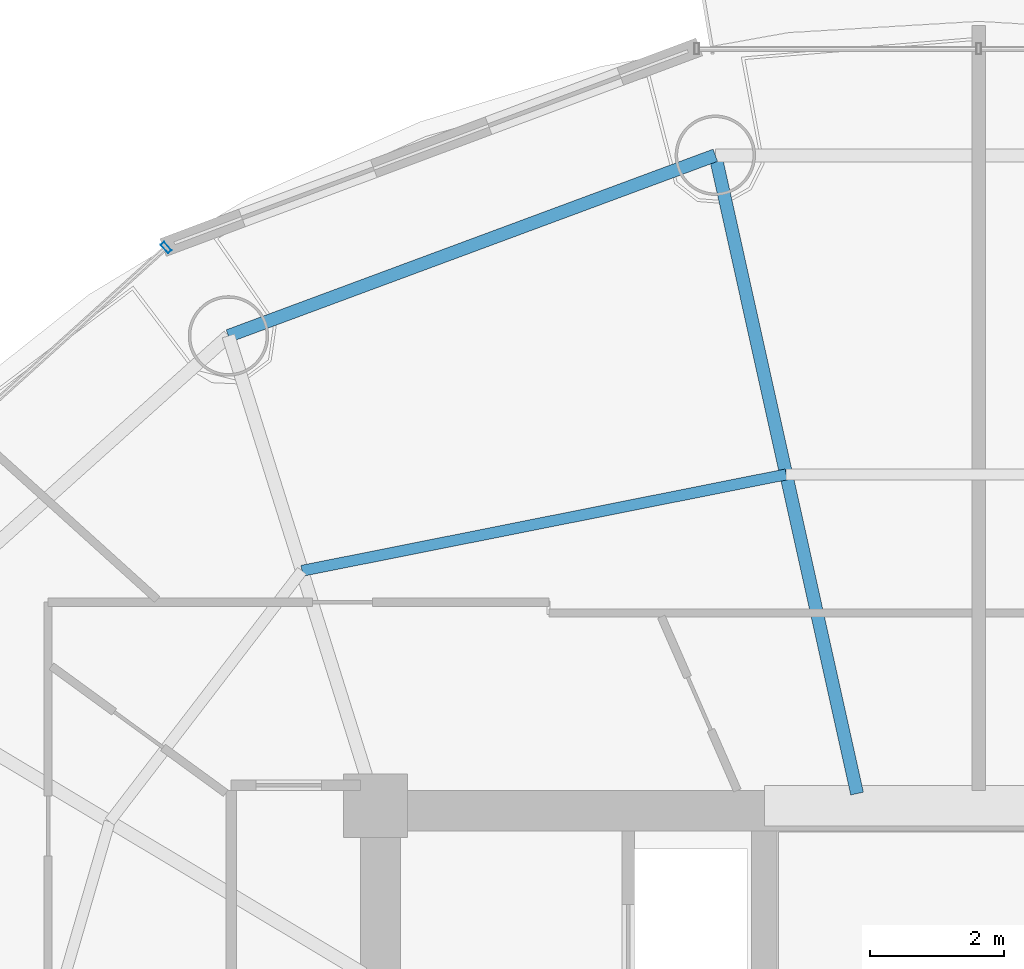
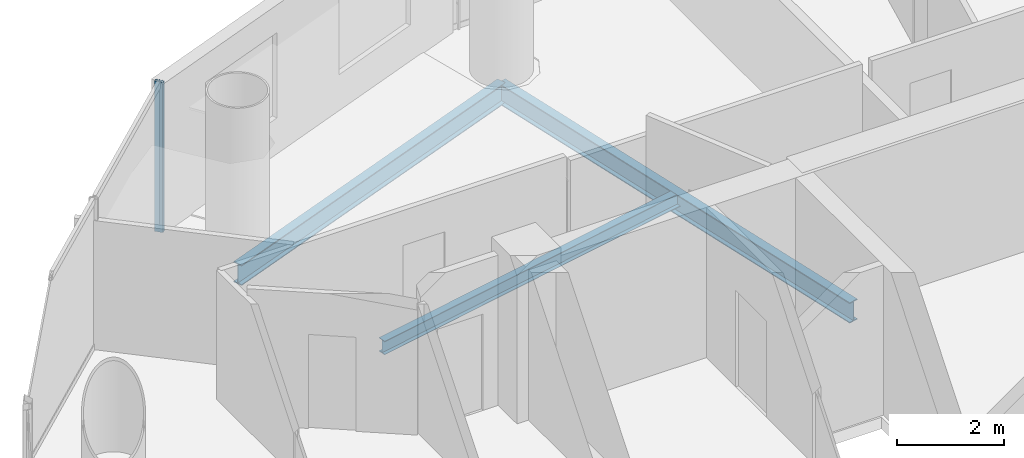
# One storey, part 15 of 27: 3 beams, 1 member, 1 element without a shape of its own.
"""IFC4 building model written with IfcOpenShell, lengths in metres."""

from ifc_helpers import new_model, si_unit, direction, frame, origin, origin_2d, place, context, subcontext, project, spatial, hollow_rectangle, i_section, extrude, source, transform, mapped, material, material_profile, profile_set, type_object, element, aggregate, save


model = new_model("IFC4")

# Units and contexts
model_context = context("Model", 3, precision=1e-05, world=origin(), true_north=direction((-0.2419218956, 0.970295726276)))
body_context = subcontext(model_context, "Body", "Model", "MODEL_VIEW")
ifc_project = project(units=[si_unit("LENGTHUNIT", "METRE"), si_unit("AREAUNIT", "SQUARE_METRE"), si_unit("VOLUMEUNIT", "CUBIC_METRE"), si_unit("PLANEANGLEUNIT", "RADIAN"), si_unit("MASSUNIT", "GRAM", prefix="KILO")], contexts=[model_context])

# Site, building, storey
site_placement = place(None, origin())
site = spatial("IfcSite", under=ifc_project, at=site_placement, CompositionType="ELEMENT")
building_placement = place(site_placement, origin())
building = spatial("IfcBuilding", under=site, at=building_placement, Name="Cobrevalo Terracotta Tower", CompositionType="ELEMENT")
storey_placement = place(building_placement, frame((0.0, 0.0, 198.60009765625)))
storey = spatial("IfcBuildingStorey", under=building, at=storey_placement, Name="L52", CompositionType="ELEMENT", Elevation=198.60009765625)

# Beams
ifc_material_1 = material(Name="Steel S355", Category="steel")
ifc_material_profile_1 = material_profile(ifc_material_1, i_section(OverallWidth=0.194091796875, OverallDepth=0.468994140625, WebThickness=0.011474609375, FlangeThickness=0.0205078125, at=origin_2d()), Name="W 460x106")
ifc_profile_set_1 = profile_set([ifc_material_profile_1], Name="Steel S355")
beam_type_1 = type_object("IfcBeamType", Name="Structural Beam W 460x106 (Steel S355)", PredefinedType="BEAM", material=ifc_profile_set_1)
beam_1_placement = place(storey_placement, frame((34.06884765625, 44.503173828125, -0.49951171875), z_axis=(0.216782061165, -0.976220025382, 0.0), x_axis=(0.976220025382, 0.216782061165, 0.0)))
element("IfcBeam", 1, at=beam_1_placement, inside=storey, type_object=beam_type_1, Name="L52 radial floor girder 05", PredefinedType="BEAM", context=body_context, shape_type="SweptSolid", body=[
    extrude(i_section(OverallWidth=0.194091796875, OverallDepth=0.468994140625, WebThickness=0.011474609375, FlangeThickness=0.0205078125, at=origin_2d()), origin(), (0.0, 0.0, 1.0), 9.755126953125),
])
ifc_material_profile_2 = material_profile(ifc_material_1, i_section(OverallWidth=0.1650390625, OverallDepth=0.31005859375, WebThickness=0.005859375, FlangeThickness=0.009765625, at=origin_2d()), Name="W 310x38.7")
ifc_profile_set_2 = profile_set([ifc_material_profile_2], Name="Steel S355")
beam_type_2 = type_object("IfcBeamType", Name="Structural Joist W 310x38.7 (Steel S355)", PredefinedType="JOIST", material=ifc_profile_set_2)
beam_2_placement = place(storey_placement, frame((35.126220703125, 39.74169921875, -0.420166015625), z_axis=(-0.980762562197, -0.195204499418, 0.0), x_axis=(0.195204499418, -0.980762562197, 0.0)))
element("IfcBeam", 2, at=beam_2_placement, inside=storey, type_object=beam_type_2, Name="L52 circumferential secondary floor joist 05", PredefinedType="JOIST", context=body_context, shape_type="SweptSolid", body=[
    extrude(i_section(OverallWidth=0.1650390625, OverallDepth=0.31005859375, WebThickness=0.005859375, FlangeThickness=0.009765625, at=origin_2d()), origin(), (0.0, 0.0, 1.0), 7.365234375),
])
ifc_material_profile_3 = material_profile(ifc_material_1, i_section(OverallWidth=0.194091796875, OverallDepth=0.468994140625, WebThickness=0.011474609375, FlangeThickness=0.0205078125, at=origin_2d()), Name="W 460x106")
ifc_profile_set_3 = profile_set([ifc_material_profile_3], Name="Steel S355")
beam_type_3 = type_object("IfcBeamType", Name="Structural Spandrel W 460x106 (Steel S355)", PredefinedType="SPANDREL", material=ifc_profile_set_3)
beam_3_placement = place(storey_placement, frame((34.06884765625, 44.503173828125, -0.49951171875), z_axis=(-0.937545996665, -0.347861328892, 0.0), x_axis=(0.347861328892, -0.937545996665, 0.0)))
element("IfcBeam", 3, at=beam_3_placement, inside=storey, type_object=beam_type_3, Name="L52 perimeter ring spandrel 05", PredefinedType="SPANDREL", context=body_context, shape_type="SweptSolid", body=[
    extrude(i_section(OverallWidth=0.194091796875, OverallDepth=0.468994140625, WebThickness=0.011474609375, FlangeThickness=0.0205078125, at=origin_2d()), origin(), (0.0, 0.0, 1.0), 7.74755859375),
])

# Curtain wall, member
ifc_material_2 = material(Name="Anodized aluminium", Category="aluminium")
curtain_wall_type = type_object("IfcCurtainWallType", Name="Mid-tower high-wind unitised curtain wall CW-U2", PredefinedType="NOTDEFINED", material=ifc_material_2)
curtain_wall_placement = place(storey_placement, origin())
curtain_wall = element("IfcCurtainWall", 4, at=curtain_wall_placement, inside=storey, type_object=curtain_wall_type, Name="L52 curtain wall CW-L52-S06", PredefinedType="NOTDEFINED")
ifc_material_profile_4 = material_profile(ifc_material_2, hollow_rectangle(XDim=0.070068359375, YDim=0.169921875, WallThickness=0.00439453125, at=origin_2d()), Name="CWM 70x170")
ifc_profile_set_4 = profile_set([ifc_material_profile_4], Name="Anodized aluminium")
member_type = type_object("IfcMemberType", Name="Upper tower unitised mullion 70x170", PredefinedType="MULLION", material=ifc_profile_set_4)
shared_shape = source(origin(), body_context, "Body", "SweptSolid", [
    extrude(hollow_rectangle(XDim=0.070068359375, YDim=0.169921875, WallThickness=0.00439453125, at=origin_2d()), origin(), (0.0, 0.0, 1.0), 3.434814453125),
])
member_placement = place(storey_placement, frame((25.87548828125, 43.128173828125, 0.0), z_axis=(0.0, 0.0, 1.0), x_axis=(-0.741987542015, -0.670413668935, 0.0)))
member = element("IfcMember", 5, at=member_placement, type_object=member_type, Name="CW-L52-S06 vertical mullion 01", PredefinedType="MULLION", context=body_context, shape_type="MappedRepresentation", body=[
    mapped(shared_shape, transform((0.0, 0.0, 0.0), scale=1.0)),
])
aggregate(curtain_wall, [member])

save(model, "model.ifc")
